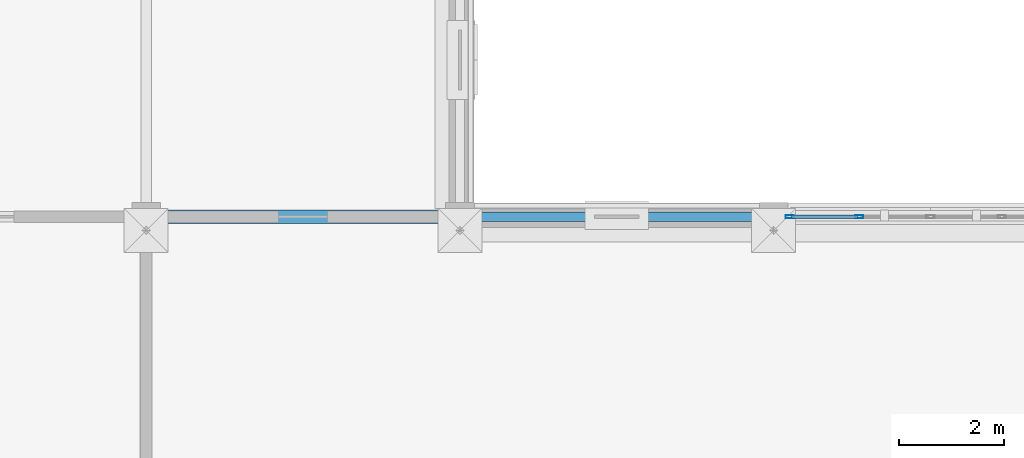
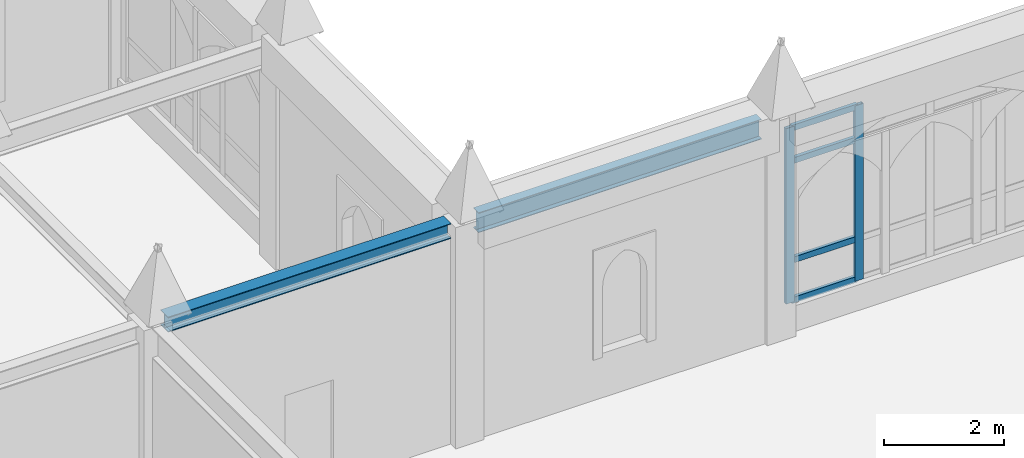
# One storey, part 55 of 108: 6 members, 2 beams, 1 element without a shape of its own.
"""IFC4 building model written with IfcOpenShell, lengths in metres."""

from ifc_helpers import new_model, si_unit, direction, frame, origin, origin_2d, place, context, subcontext, project, spatial, hollow_rectangle, i_section, extrude, material, layer, layer_set, material_profile, profile_set, type_object, element, aggregate, save


model = new_model("IFC4")

# Units and contexts
model_context = context("Model", 3, precision=1e-05, world=origin(), true_north=direction((0.0, 1.0)))
body_context = subcontext(model_context, "Body", "Model", "MODEL_VIEW")
ifc_project = project(units=[si_unit("LENGTHUNIT", "METRE"), si_unit("AREAUNIT", "SQUARE_METRE"), si_unit("VOLUMEUNIT", "CUBIC_METRE"), si_unit("PLANEANGLEUNIT", "RADIAN"), si_unit("MASSUNIT", "GRAM", prefix="KILO")], contexts=[model_context])

# Site, building, storey
site_placement = place(None, origin())
site = spatial("IfcSite", under=ifc_project, at=site_placement, CompositionType="ELEMENT")
building_placement = place(site_placement, origin())
building = spatial("IfcBuilding", under=site, at=building_placement, Name="Cumevento Cable Car Station", CompositionType="ELEMENT")
storey_placement = place(building_placement, frame((0.0, 0.0, 13.5)))
storey = spatial("IfcBuildingStorey", under=building, at=storey_placement, Name="L04", CompositionType="ELEMENT", Elevation=13.5)

# Curtain wall, members
ifc_material_1 = material(Name="Anodised Bronze Aluminium AW-6063-T6", Category="aluminium")
ifc_layer = layer(ifc_material_1, 0.201904296875)
ifc_layer_set = layer_set([ifc_layer], Name="Anodised Bronze Aluminium AW-6063-T6")
curtain_wall_type = type_object("IfcCurtainWallType", Name="Lancet Curtain Wall CW-08 1330", PredefinedType="NOTDEFINED", material=ifc_layer_set)
curtain_wall_placement = place(storey_placement, origin())
curtain_wall = element("IfcCurtainWall", 1, at=curtain_wall_placement, inside=storey, type_object=curtain_wall_type, Name="Lancet Curtain Wall CW-08 L04 #183", PredefinedType="NOTDEFINED")
ifc_material_2 = material(Name="Anodised Bronze Aluminium AW-6063-T6", Category="aluminium")
ifc_material_profile_1 = material_profile(ifc_material_2, hollow_rectangle(XDim=0.06494140625, YDim=0.159912109375, WallThickness=0.00390625, at=origin_2d()), Name="ALUM65x160x4")
ifc_profile_set_1 = profile_set([ifc_material_profile_1], Name="Anodised Bronze Aluminium AW-6063-T6")
member_type_1 = type_object("IfcMemberType", Name="Curtain Mullion CWM-01 ALUM65x160x4", PredefinedType="MULLION", material=ifc_profile_set_1)
member_1_placement = place(storey_placement, frame((148.3076171875, 45.0, 0.52001953125), z_axis=(0.0, 0.0, 1.0), x_axis=(0.0, 1.0, 0.0)))
member_1 = element("IfcMember", 2, at=member_1_placement, type_object=member_type_1, Name="CW-08 mullion 1", PredefinedType="MULLION", context=body_context, shape_type="SweptSolid", body=[
    extrude(hollow_rectangle(XDim=0.06494140625, YDim=0.159912109375, WallThickness=0.00390625, at=origin_2d()), origin(), (0.0, 0.0, 1.0), 3.572998046875),
])
member_2_placement = place(storey_placement, frame((149.637451171875, 45.0, 0.52001953125), z_axis=(0.0, 0.0, 1.0), x_axis=(0.0, 1.0, 0.0)))
member_2 = element("IfcMember", 3, at=member_2_placement, type_object=member_type_1, Name="CW-08 mullion 2", PredefinedType="MULLION", context=body_context, shape_type="SweptSolid", body=[
    extrude(hollow_rectangle(XDim=0.06494140625, YDim=0.159912109375, WallThickness=0.00390625, at=origin_2d()), origin(), (0.0, 0.0, 1.0), 3.572998046875),
])
ifc_material_3 = material(Name="Anodised Bronze Aluminium AW-6063-T6", Category="aluminium")
ifc_material_profile_2 = material_profile(ifc_material_3, hollow_rectangle(XDim=0.06494140625, YDim=0.1201171875, WallThickness=0.00390625, at=origin_2d()), Name="ALUT65x120x4")
ifc_profile_set_2 = profile_set([ifc_material_profile_2], Name="Anodised Bronze Aluminium AW-6063-T6")
member_type_2 = type_object("IfcMemberType", Name="Curtain Transom CWT-01 ALUT65x120x4", PredefinedType="USERDEFINED", material=ifc_profile_set_2)
member_3_placement = place(storey_placement, frame((148.340087890625, 45.0, 0.552490234375), z_axis=(1.0, 0.0, 0.0), x_axis=(0.0, 1.0, 0.0)))
member_3 = element("IfcMember", 4, at=member_3_placement, type_object=member_type_2, Name="CW-08 transom 1.1", ObjectType="TRANSOM", PredefinedType="USERDEFINED", context=body_context, shape_type="SweptSolid", body=[
    extrude(hollow_rectangle(XDim=0.06494140625, YDim=0.1201171875, WallThickness=0.00390625, at=origin_2d()), origin(), (0.0, 0.0, 1.0), 1.264892578125),
])
member_4_placement = place(storey_placement, frame((148.340087890625, 45.0, 1.3701171875), z_axis=(1.0, 0.0, 0.0), x_axis=(0.0, 1.0, 0.0)))
member_4 = element("IfcMember", 5, at=member_4_placement, type_object=member_type_2, Name="CW-08 transom 1.2", ObjectType="TRANSOM", PredefinedType="USERDEFINED", context=body_context, shape_type="SweptSolid", body=[
    extrude(hollow_rectangle(XDim=0.06494140625, YDim=0.1201171875, WallThickness=0.00390625, at=origin_2d()), origin(), (0.0, 0.0, 1.0), 1.264892578125),
])
member_5_placement = place(storey_placement, frame((148.340087890625, 45.0, 3.39306640625), z_axis=(1.0, 0.0, 0.0), x_axis=(0.0, 1.0, 0.0)))
member_5 = element("IfcMember", 6, at=member_5_placement, type_object=member_type_2, Name="CW-08 transom 1.3", ObjectType="TRANSOM", PredefinedType="USERDEFINED", context=body_context, shape_type="SweptSolid", body=[
    extrude(hollow_rectangle(XDim=0.06494140625, YDim=0.1201171875, WallThickness=0.00390625, at=origin_2d()), origin(), (0.0, 0.0, 1.0), 1.264892578125),
])
member_6_placement = place(storey_placement, frame((148.340087890625, 45.0, 4.060546875), z_axis=(1.0, 0.0, 0.0), x_axis=(0.0, 1.0, 0.0)))
member_6 = element("IfcMember", 7, at=member_6_placement, type_object=member_type_2, Name="CW-08 transom 1.4", ObjectType="TRANSOM", PredefinedType="USERDEFINED", context=body_context, shape_type="SweptSolid", body=[
    extrude(hollow_rectangle(XDim=0.06494140625, YDim=0.1201171875, WallThickness=0.00390625, at=origin_2d()), origin(), (0.0, 0.0, 1.0), 1.264892578125),
])
aggregate(curtain_wall, [member_1, member_2, member_3, member_4, member_5, member_6])

# Beams
ifc_material_4 = material(Name="Steel ASTM A572 Grade 50", Category="steel")
ifc_material_profile_3 = material_profile(ifc_material_4, i_section(OverallWidth=0.25390625, OverallDepth=0.305908203125, WebThickness=0.0087890625, FlangeThickness=0.0146484375, at=origin_2d()), Name="W310x79.0")
ifc_profile_set_3 = profile_set([ifc_material_profile_3], Name="Steel ASTM A572 Grade 50")
beam_type_1 = type_object("IfcBeamType", Name="Structural Beam BM-06 W310x79.0", PredefinedType="BEAM", material=ifc_profile_set_3)
beam_1_placement = place(storey_placement, frame((136.27490234375, 45.0, 4.346923828125), z_axis=(1.0, 0.0, 0.0), x_axis=(0.0, 1.0, 0.0)))
element("IfcBeam", 8, at=beam_1_placement, inside=storey, type_object=beam_type_1, Name="Beam BM-06 L04 #1475", PredefinedType="BEAM", context=body_context, shape_type="SweptSolid", body=[
    extrude(i_section(OverallWidth=0.25390625, OverallDepth=0.305908203125, WebThickness=0.0087890625, FlangeThickness=0.0146484375, at=origin_2d()), origin(), (0.0, 0.0, 1.0), 5.4501953125),
])
ifc_material_5 = material(Name="Steel ASTM A572 Grade 50", Category="steel")
ifc_material_profile_4 = material_profile(ifc_material_5, i_section(OverallWidth=0.177978515625, OverallDepth=0.406982421875, WebThickness=0.0078125, FlangeThickness=0.0126953125, at=origin_2d()), Name="W410x60.0")
ifc_profile_set_4 = profile_set([ifc_material_profile_4], Name="Steel ASTM A572 Grade 50")
beam_type_2 = type_object("IfcBeamType", Name="Structural Spandrel SP-01 W410x60.0", PredefinedType="SPANDREL", material=ifc_profile_set_4)
beam_2_placement = place(storey_placement, frame((142.27490234375, 45.0, 4.29638671875), z_axis=(1.0, 0.0, 0.0), x_axis=(0.0, 1.0, 0.0)))
element("IfcBeam", 9, at=beam_2_placement, inside=storey, type_object=beam_type_2, Name="Beam SP-01 L04 #1476", PredefinedType="SPANDREL", context=body_context, shape_type="SweptSolid", body=[
    extrude(i_section(OverallWidth=0.177978515625, OverallDepth=0.406982421875, WebThickness=0.0078125, FlangeThickness=0.0126953125, at=origin_2d()), origin(), (0.0, 0.0, 1.0), 5.4501953125),
])

save(model, "model.ifc")
